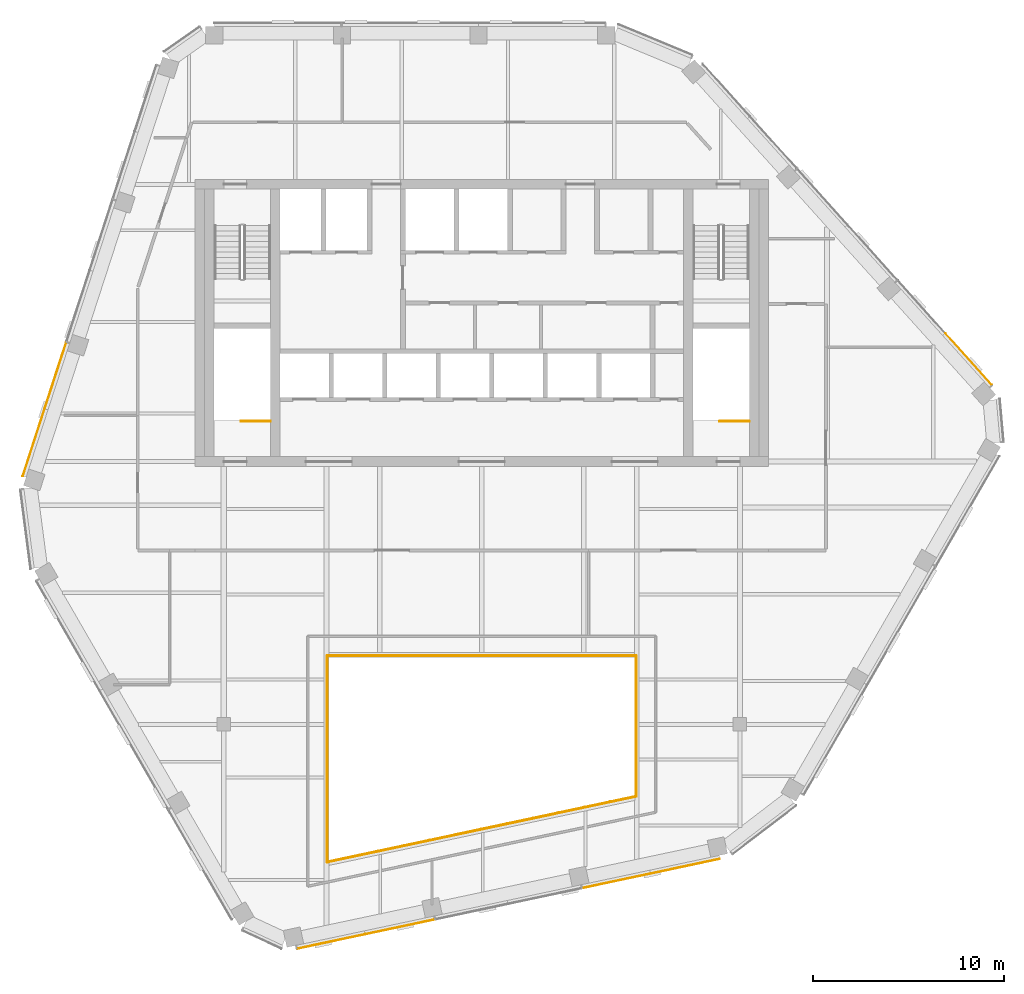
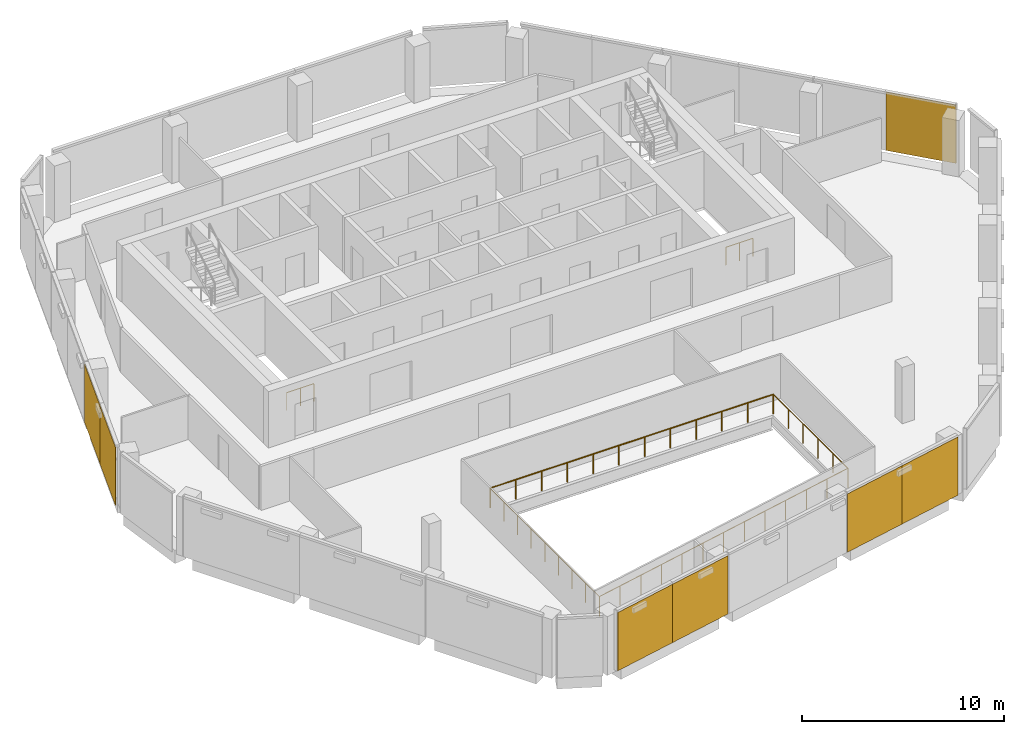
# One storey, part 11 of 13: 7 coverings, 6 railings, 3 elements without a shape of their own.
"""IFC4 building model written with IfcOpenShell, lengths in metres."""

import ifcopenshell
import ifcopenshell.guid

model = None  # the IFC model being written
_history = None  # IfcOwnerHistory: only IFC2X3 demands one
_inside = {}  # id of a spatial element -> (the spatial element, [elements in it])
_under = {}  # id of a project, library or spatial element -> (it, [spatial elements below it])
_declared = {}  # id of a project -> (the project, [libraries it declares])
_typed = {}  # id of a type object -> (the type object, [elements of that type])
_made_of = {}  # id of a material, layer set ... -> (it, [elements and type objects made of it])


def new_model(schema):
    """Start an empty IFC model of exactly this schema.

    Asked for "IFC4X3", IfcOpenShell would pick the latest addendum, in which some entities
    have other attributes; the version numbers below select the first issue.
    IFC2X3 requires an IfcOwnerHistory on every rooted entity: one is made here for all.
    """
    global model, _history
    if schema == "IFC4X3":
        model = ifcopenshell.file(schema_version=(4, 3, 0, 0))
    else:
        model = ifcopenshell.file(schema=schema)
    _inside.clear()
    _under.clear()
    _declared.clear()
    _typed.clear()
    _made_of.clear()
    _history = None
    if model.schema == "IFC2X3":
        org = make("IfcOrganization", Name="unknown")
        user = make(
            "IfcPersonAndOrganization",
            ThePerson=make("IfcPerson", FamilyName="unknown"),
            TheOrganization=org,
        )
        app = make(
            "IfcApplication",
            ApplicationDeveloper=org,
            Version="unknown",
            ApplicationFullName="unknown",
            ApplicationIdentifier="unknown",
        )
        _history = make(
            "IfcOwnerHistory",
            OwningUser=user,
            OwningApplication=app,
            ChangeAction="ADDED",
            CreationDate=0,
        )
    return model


def make(cls, **values):
    """One entity of the class cls with the attributes given. An attribute that is None is left unset."""
    return model.create_entity(
        cls, **{name: value for name, value in values.items() if value is not None}
    )


def rooted(cls, **values):
    """An entity with a GlobalId (a new one), such as an element, a storey or a relation."""
    return make(cls, GlobalId=ifcopenshell.guid.new(), OwnerHistory=_history, **values)


def si_unit(unit_type, name, prefix=None):
    """IfcSIUnit, for example si_unit("LENGTHUNIT", "METRE", prefix="MILLI")."""
    return make("IfcSIUnit", UnitType=unit_type, Prefix=prefix, Name=name)


def assignment(units):
    """IfcUnitAssignment: the units of a project."""
    return None if units is None else make("IfcUnitAssignment", Units=units)


def point(xyz):
    """IfcCartesianPoint."""
    return None if xyz is None else make("IfcCartesianPoint", Coordinates=xyz)


def direction(xyz):
    """IfcDirection."""
    return None if xyz is None else make("IfcDirection", DirectionRatios=xyz)


def frame(location, z_axis=None, x_axis=None):
    """IfcAxis2Placement3D, a coordinate frame: its origin and axes. An axis left out is left unset."""
    return make(
        "IfcAxis2Placement3D",
        Location=point(location),
        Axis=direction(z_axis),
        RefDirection=direction(x_axis),
    )


def frame_2d(location, x_axis=None):
    """IfcAxis2Placement2D, a coordinate frame in the plane: its origin and x axis."""
    return make(
        "IfcAxis2Placement2D", Location=point(location), RefDirection=direction(x_axis)
    )


def origin():
    """The frame at (0, 0, 0) with its axes left unset."""
    return frame((0.0, 0.0, 0.0))


def origin_2d():
    """The frame at (0, 0) in the plane with its x axis left unset."""
    return frame_2d((0.0, 0.0))


def place(relative_to, where):
    """IfcLocalPlacement: puts the frame where relative to a parent placement (None: the world)."""
    return make(
        "IfcLocalPlacement", PlacementRelTo=relative_to, RelativePlacement=where
    )


def context(
    kind, dimensions, precision=None, world=None, true_north=None, identifier=None
):
    """IfcGeometricRepresentationContext, for example the 3D "Model" context."""
    return make(
        "IfcGeometricRepresentationContext",
        ContextIdentifier=identifier,
        ContextType=kind,
        CoordinateSpaceDimension=dimensions,
        Precision=precision,
        WorldCoordinateSystem=world,
        TrueNorth=true_north,
    )


def subcontext(parent, identifier, kind, view, scale=None):
    """IfcGeometricRepresentationSubContext, for example "Body" below "Model"."""
    return make(
        "IfcGeometricRepresentationSubContext",
        ContextIdentifier=identifier,
        ContextType=kind,
        ParentContext=parent,
        TargetScale=scale,
        TargetView=view,
    )


def project(units=None, contexts=None):
    """IfcProject with its units and contexts."""
    return rooted(
        "IfcProject",
        Name="project",
        RepresentationContexts=contexts,
        UnitsInContext=assignment(units),
    )


def spatial(cls, under=None, at=None, **own):
    """A site, building, storey or space (cls), placed at a placement, below another one or the project."""
    s = rooted(cls, ObjectPlacement=at, **own)
    if under is not None:
        _under.setdefault(under.id(), (under, []))[1].append(s)
    return s


def profile(cls, at=None, kind="AREA", **sizes):
    """A parametric profile (cls). Its sizes go by their IFC names, for example OverallWidth=200.0."""
    return make(cls, ProfileType=kind, Position=at, **sizes)


def rectangle(**sizes):
    """IfcRectangleProfileDef."""
    return profile("IfcRectangleProfileDef", **sizes)


def circle(**sizes):
    """IfcCircleProfileDef."""
    return profile("IfcCircleProfileDef", **sizes)


def extrude(swept, where, along, depth):
    """IfcExtrudedAreaSolid: the profile swept, set in the frame where, extruded along a direction by depth."""
    return make(
        "IfcExtrudedAreaSolid",
        SweptArea=swept,
        Position=where,
        ExtrudedDirection=direction(along),
        Depth=depth,
    )


def shape(context_of_items, identifier, shape_type, items):
    """IfcShapeRepresentation: the items that make up one representation, for example the "Body"."""
    return make(
        "IfcShapeRepresentation",
        ContextOfItems=context_of_items,
        RepresentationIdentifier=identifier,
        RepresentationType=shape_type,
        Items=items,
    )


def material(Name=None, Category=None):
    """IfcMaterial."""
    return make("IfcMaterial", Name=Name, Category=Category)


def layer(
    of_material, thickness, ventilated=None, Name=None, Category=None, Priority=None
):
    """IfcMaterialLayer: one layer of a wall or slab, of a material (None: an air gap)."""
    return make(
        "IfcMaterialLayer",
        Material=of_material,
        LayerThickness=thickness,
        IsVentilated=ventilated,
        Name=Name,
        Category=Category,
        Priority=Priority,
    )


def layer_set(layers, Name=None):
    """IfcMaterialLayerSet."""
    return make("IfcMaterialLayerSet", MaterialLayers=layers, LayerSetName=Name)


def made_of(thing, what):
    """Note that an element or type object is made of a material, layer set ...; save() writes the relation."""
    if what is not None:
        _made_of.setdefault(what.id(), (what, []))[1].append(thing)
    return thing


def type_object(cls, material=None, **own):
    """A type object (cls), such as IfcWallType, which elements share."""
    return made_of(rooted(cls, **own), material)


def element(
    cls,
    number,
    at=None,
    inside=None,
    cuts=None,
    type_object=None,
    material=None,
    context=None,
    identifier="Body",
    shape_type=None,
    held_by="IfcProductDefinitionShape",
    body=None,
    shapes=None,
    **own,
):
    """One element of the class cls, such as IfcWall. Its Tag is "e" and its number.

    at: its placement. inside: the storey or other place that contains it. cuts: it is an
    opening in that element (IfcRelVoidsElement). A single representation is given by context,
    identifier, shape_type and body (its items); several are given by shapes. held_by: the class
    of the entity that holds the representations. save() writes the other relations.
    """
    e = rooted(cls, Tag="e%d" % number, ObjectPlacement=at, **own)
    if body is not None:
        shapes = [shape(context, identifier, shape_type, body)]
    if shapes is not None:
        e.Representation = make(held_by, Representations=shapes)
    if inside is not None:
        _inside.setdefault(inside.id(), (inside, []))[1].append(e)
    if cuts is not None:
        rooted(
            "IfcRelVoidsElement", RelatingBuildingElement=cuts, RelatedOpeningElement=e
        )
    if type_object is not None:
        _typed.setdefault(type_object.id(), (type_object, []))[1].append(e)
    return made_of(e, material)


def aggregate(whole, parts):
    """IfcRelAggregates: a whole, such as a stair, and the parts it consists of."""
    return rooted("IfcRelAggregates", RelatingObject=whole, RelatedObjects=parts)


def save(model, path):
    """Write the relations noted so far, then the file.

    IfcRelAggregates (storeys below a building ...), IfcRelContainedInSpatialStructure (elements
    in a storey), IfcRelDefinesByType, IfcRelAssociatesMaterial and IfcRelDeclares: one each for
    every whole, place, type object, material and project.
    """
    for whole, parts in _under.values():
        aggregate(whole, parts)
    for where, things in _inside.values():
        rooted(
            "IfcRelContainedInSpatialStructure",
            RelatedElements=things,
            RelatingStructure=where,
        )
    for kind, things in _typed.values():
        rooted("IfcRelDefinesByType", RelatedObjects=things, RelatingType=kind)
    for what, things in _made_of.values():
        rooted("IfcRelAssociatesMaterial", RelatedObjects=things, RelatingMaterial=what)
    for by, libraries in _declared.values():
        rooted("IfcRelDeclares", RelatingContext=by, RelatedDefinitions=libraries)
    model.write(path)


model = new_model("IFC4")

# Units and contexts
model_context = context("Model", 3, precision=1e-05, world=origin(), true_north=direction((0.0, 1.0)))
body_context = subcontext(model_context, "Body", "Model", "MODEL_VIEW")
ifc_project = project(units=[si_unit("LENGTHUNIT", "METRE"), si_unit("AREAUNIT", "SQUARE_METRE"), si_unit("VOLUMEUNIT", "CUBIC_METRE"), si_unit("PLANEANGLEUNIT", "RADIAN"), si_unit("MASSUNIT", "GRAM", prefix="KILO")], contexts=[model_context])

# Site, building, storey
site_placement = place(None, origin())
site = spatial("IfcSite", under=ifc_project, at=site_placement, CompositionType="ELEMENT")
building_placement = place(site_placement, origin())
building = spatial("IfcBuilding", under=site, at=building_placement, Name="Isthmus Gate Tower", CompositionType="ELEMENT")
storey_placement = place(building_placement, frame((0.0, 0.0, 297.449951171875)))
storey = spatial("IfcBuildingStorey", under=building, at=storey_placement, Name="L76", CompositionType="ELEMENT", Elevation=297.449951171875)

# Railings
ifc_material_1 = material(Name="Laminated toughened glass balustrade with steel rail", Category="steel")
railing_type_1 = type_object("IfcRailingType", Name="ATRIUM GUARD GLASS BALUSTRADE 1200", PredefinedType="GUARDRAIL", material=ifc_material_1)
railing_1_placement = place(storey_placement, frame((-8.080078125, -20.7099609375, 0.0)))
element("IfcRailing", 1, at=railing_1_placement, inside=storey, type_object=railing_type_1, Name="L76 atrium guard", PredefinedType="GUARDRAIL", context=body_context, shape_type="SweptSolid", body=[
    extrude(circle(Radius=0.02490234375, at=origin_2d()), frame((0.0, 0.0, 1.1748046875), z_axis=(0.0, 1.0, 0.0), x_axis=(-1.0, 0.0, 0.0)), (0.0, 0.0, 1.0), 10.7900390625),
    extrude(circle(Radius=0.02490234375, at=origin_2d()), origin(), (0.0, 0.0, 1.0), 1.14990234375),
    extrude(circle(Radius=0.02490234375, at=origin_2d()), frame((0.0, 1.3486328125, 0.0)), (0.0, 0.0, 1.0), 1.14990234375),
    extrude(circle(Radius=0.02490234375, at=origin_2d()), frame((0.0, 2.697509765625, 0.0)), (0.0, 0.0, 1.0), 1.14990234375),
    extrude(circle(Radius=0.02490234375, at=origin_2d()), frame((0.0, 4.04638671875, 0.0)), (0.0, 0.0, 1.0), 1.14990234375),
    extrude(circle(Radius=0.02490234375, at=origin_2d()), frame((0.0, 5.39501953125, 0.0)), (0.0, 0.0, 1.0), 1.14990234375),
    extrude(circle(Radius=0.02490234375, at=origin_2d()), frame((0.0, 6.74365234375, 0.0)), (0.0, 0.0, 1.0), 1.14990234375),
    extrude(circle(Radius=0.02490234375, at=origin_2d()), frame((0.0, 8.092529296875, 0.0)), (0.0, 0.0, 1.0), 1.14990234375),
    extrude(circle(Radius=0.02490234375, at=origin_2d()), frame((0.0, 9.44140625, 0.0)), (0.0, 0.0, 1.0), 1.14990234375),
    extrude(circle(Radius=0.02490234375, at=origin_2d()), frame((0.0, 10.7900390625, 0.0)), (0.0, 0.0, 1.0), 1.14990234375),
])
railing_2_placement = place(storey_placement, frame((-8.080078125, -9.919921875, 0.0)))
element("IfcRailing", 2, at=railing_2_placement, inside=storey, type_object=railing_type_1, Name="L76 atrium guard", PredefinedType="GUARDRAIL", context=body_context, shape_type="SweptSolid", body=[
    extrude(circle(Radius=0.02490234375, at=origin_2d()), frame((0.0, 0.0, 1.1748046875), z_axis=(1.0, 0.0, 0.0), x_axis=(0.0, 1.0, 0.0)), (0.0, 0.0, 1.0), 16.16015625),
    extrude(circle(Radius=0.02490234375, at=origin_2d()), origin(), (0.0, 0.0, 1.0), 1.14990234375),
    extrude(circle(Radius=0.02490234375, at=origin_2d()), frame((1.468994140625, 0.0, 0.0)), (0.0, 0.0, 1.0), 1.14990234375),
    extrude(circle(Radius=0.02490234375, at=origin_2d()), frame((2.938232421875, 0.0, 0.0)), (0.0, 0.0, 1.0), 1.14990234375),
    extrude(circle(Radius=0.02490234375, at=origin_2d()), frame((4.4072265625, 0.0, 0.0)), (0.0, 0.0, 1.0), 1.14990234375),
    extrude(circle(Radius=0.02490234375, at=origin_2d()), frame((5.87646484375, 0.0, 0.0)), (0.0, 0.0, 1.0), 1.14990234375),
    extrude(circle(Radius=0.02490234375, at=origin_2d()), frame((7.345458984375, 0.0, 0.0)), (0.0, 0.0, 1.0), 1.14990234375),
    extrude(circle(Radius=0.02490234375, at=origin_2d()), frame((8.814697265625, 0.0, 0.0)), (0.0, 0.0, 1.0), 1.14990234375),
    extrude(circle(Radius=0.02490234375, at=origin_2d()), frame((10.28369140625, 0.0, 0.0)), (0.0, 0.0, 1.0), 1.14990234375),
    extrude(circle(Radius=0.02490234375, at=origin_2d()), frame((11.7529296875, 0.0, 0.0)), (0.0, 0.0, 1.0), 1.14990234375),
    extrude(circle(Radius=0.02490234375, at=origin_2d()), frame((13.221923828125, 0.0, 0.0)), (0.0, 0.0, 1.0), 1.14990234375),
    extrude(circle(Radius=0.02490234375, at=origin_2d()), frame((14.691162109375, 0.0, 0.0)), (0.0, 0.0, 1.0), 1.14990234375),
    extrude(circle(Radius=0.02490234375, at=origin_2d()), frame((16.16015625, 0.0, 0.0)), (0.0, 0.0, 1.0), 1.14990234375),
])
railing_3_placement = place(storey_placement, frame((8.080078125, -9.919921875, 0.0)))
element("IfcRailing", 3, at=railing_3_placement, inside=storey, type_object=railing_type_1, Name="L76 atrium guard", PredefinedType="GUARDRAIL", context=body_context, shape_type="SweptSolid", body=[
    extrude(circle(Radius=0.02490234375, at=origin_2d()), frame((0.0, 0.0, 1.1748046875), z_axis=(0.0, -1.0, 0.0), x_axis=(1.0, 0.0, 0.0)), (0.0, 0.0, 1.0), 7.35498046875),
    extrude(circle(Radius=0.02490234375, at=origin_2d()), origin(), (0.0, 0.0, 1.0), 1.14990234375),
    extrude(circle(Radius=0.02490234375, at=origin_2d()), frame((0.0, -1.470947265625, 0.0)), (0.0, 0.0, 1.0), 1.14990234375),
    extrude(circle(Radius=0.02490234375, at=origin_2d()), frame((0.0, -2.94189453125, 0.0)), (0.0, 0.0, 1.0), 1.14990234375),
    extrude(circle(Radius=0.02490234375, at=origin_2d()), frame((0.0, -4.4130859375, 0.0)), (0.0, 0.0, 1.0), 1.14990234375),
    extrude(circle(Radius=0.02490234375, at=origin_2d()), frame((0.0, -5.884033203125, 0.0)), (0.0, 0.0, 1.0), 1.14990234375),
    extrude(circle(Radius=0.02490234375, at=origin_2d()), frame((0.0, -7.35498046875, 0.0)), (0.0, 0.0, 1.0), 1.14990234375),
])
railing_4_placement = place(storey_placement, frame((8.080078125, -17.27490234375, 0.0)))
element("IfcRailing", 4, at=railing_4_placement, inside=storey, type_object=railing_type_1, Name="L76 atrium guard", PredefinedType="GUARDRAIL", context=body_context, shape_type="SweptSolid", body=[
    extrude(circle(Radius=0.02490234375, at=origin_2d()), frame((0.0, 0.0, 1.1748046875), z_axis=(-0.978146230105, -0.207918139013, 0.0), x_axis=(0.207918139013, -0.978146230105, 0.0)), (0.0, 0.0, 1.0), 16.521240234375),
    extrude(circle(Radius=0.02490234375, at=origin_2d()), origin(), (0.0, 0.0, 1.0), 1.14990234375),
    extrude(circle(Radius=0.02490234375, at=origin_2d()), frame((-1.3466796875, -0.2861328125, 0.0)), (0.0, 0.0, 1.0), 1.14990234375),
    extrude(circle(Radius=0.02490234375, at=origin_2d()), frame((-2.693359375, -0.572509765625, 0.0)), (0.0, 0.0, 1.0), 1.14990234375),
    extrude(circle(Radius=0.02490234375, at=origin_2d()), frame((-4.0400390625, -0.85888671875, 0.0)), (0.0, 0.0, 1.0), 1.14990234375),
    extrude(circle(Radius=0.02490234375, at=origin_2d()), frame((-5.38671875, -1.14501953125, 0.0)), (0.0, 0.0, 1.0), 1.14990234375),
    extrude(circle(Radius=0.02490234375, at=origin_2d()), frame((-6.7333984375, -1.43115234375, 0.0)), (0.0, 0.0, 1.0), 1.14990234375),
    extrude(circle(Radius=0.02490234375, at=origin_2d()), frame((-8.080078125, -1.717529296875, 0.0)), (0.0, 0.0, 1.0), 1.14990234375),
    extrude(circle(Radius=0.02490234375, at=origin_2d()), frame((-9.4267578125, -2.00390625, 0.0)), (0.0, 0.0, 1.0), 1.14990234375),
    extrude(circle(Radius=0.02490234375, at=origin_2d()), frame((-10.7734375, -2.2900390625, 0.0)), (0.0, 0.0, 1.0), 1.14990234375),
    extrude(circle(Radius=0.02490234375, at=origin_2d()), frame((-12.1201171875, -2.576171875, 0.0)), (0.0, 0.0, 1.0), 1.14990234375),
    extrude(circle(Radius=0.02490234375, at=origin_2d()), frame((-13.466796875, -2.862548828125, 0.0)), (0.0, 0.0, 1.0), 1.14990234375),
    extrude(circle(Radius=0.02490234375, at=origin_2d()), frame((-14.8134765625, -3.14892578125, 0.0)), (0.0, 0.0, 1.0), 1.14990234375),
    extrude(circle(Radius=0.02490234375, at=origin_2d()), frame((-16.16015625, -3.43505859375, 0.0)), (0.0, 0.0, 1.0), 1.14990234375),
])

# Curtain wall, coverings
ifc_material_2 = material(Name="Aluminium, pale champagne anodised", Category="aluminium")
ifc_layer_1 = layer(ifc_material_2, 0.199951171875)
ifc_layer_set_1 = layer_set([ifc_layer_1], Name="CW-1 UNITISED CURTAIN WALL 200 DEEP")
curtain_wall_type = type_object("IfcCurtainWallType", Name="CW-1 UNITISED CURTAIN WALL 200 DEEP", PredefinedType="NOTDEFINED", material=ifc_layer_set_1)
curtain_wall_1_placement = place(storey_placement, origin())
curtain_wall_1 = element("IfcCurtainWall", 5, at=curtain_wall_1_placement, inside=storey, type_object=curtain_wall_type, Name="CW-1 NW L76", PredefinedType="NOTDEFINED")
ifc_material_3 = material(Name="Aluminium composite panel, pale champagne anodised", Category="aluminium")
ifc_layer_2 = layer(ifc_material_3, 0.031982421875)
ifc_layer_set_2 = layer_set([ifc_layer_2], Name="CW-1 PALE METAL PANEL 32")
covering_type = type_object("IfcCoveringType", Name="CW-1 PALE METAL PANEL 32", PredefinedType="CLADDING", material=ifc_layer_set_2)
covering_1_placement = place(storey_placement, frame((-22.309326171875, 4.737548828125, 0.0), z_axis=(0.0, 0.0, 1.0), x_axis=(-0.309016994375, -0.951056516295, 0.0)))
covering_1 = element("IfcCovering", 6, at=covering_1_placement, type_object=covering_type, Name="CW-1 pale metal panel", PredefinedType="CLADDING", context=body_context, shape_type="SweptSolid", body=[
    extrude(rectangle(XDim=3.643310546875, YDim=0.031982421875, at=origin_2d()), origin(), (0.0, 0.0, 1.0), 3.52001953125),
])
covering_2_placement = place(storey_placement, frame((-23.4443359375, 1.244140625, 0.0), z_axis=(0.0, 0.0, 1.0), x_axis=(-0.309016994375, -0.951056516295, 0.0)))
covering_2 = element("IfcCovering", 7, at=covering_2_placement, type_object=covering_type, Name="CW-1 pale metal panel", PredefinedType="CLADDING", context=body_context, shape_type="SweptSolid", body=[
    extrude(rectangle(XDim=3.703369140625, YDim=0.031982421875, at=origin_2d()), origin(), (0.0, 0.0, 1.0), 3.52001953125),
])
aggregate(curtain_wall_1, [covering_1, covering_2])

curtain_wall_2_placement = place(storey_placement, origin())
curtain_wall_2 = element("IfcCurtainWall", 8, at=curtain_wall_2_placement, inside=storey, type_object=curtain_wall_type, Name="CW-1 S L76", PredefinedType="NOTDEFINED")
covering_3_placement = place(storey_placement, frame((-7.87841796875, -24.86279296875, 0.0), z_axis=(0.0, 0.0, 1.0), x_axis=(0.978147600734, 0.207911690818, 0.0)))
covering_3 = element("IfcCovering", 9, at=covering_3_placement, type_object=covering_type, Name="CW-1 pale metal panel", PredefinedType="CLADDING", context=body_context, shape_type="SweptSolid", body=[
    extrude(rectangle(XDim=3.643310546875, YDim=0.031982421875, at=origin_2d()), origin(), (0.0, 0.0, 1.0), 3.52001953125),
])
covering_4_placement = place(storey_placement, frame((-4.28515625, -24.098876953125, 0.0), z_axis=(0.0, 0.0, 1.0), x_axis=(0.978147600734, 0.207911690818, 0.0)))
covering_4 = element("IfcCovering", 10, at=covering_4_placement, type_object=covering_type, Name="CW-1 pale metal panel", PredefinedType="CLADDING", context=body_context, shape_type="SweptSolid", body=[
    extrude(rectangle(XDim=3.703369140625, YDim=0.031982421875, at=origin_2d()), origin(), (0.0, 0.0, 1.0), 3.52001953125),
])
covering_5_placement = place(storey_placement, frame((7.0517578125, -21.689208984375, 0.0), z_axis=(0.0, 0.0, 1.0), x_axis=(0.978147600734, 0.207911690818, 0.0)))
covering_5 = element("IfcCovering", 11, at=covering_5_placement, type_object=covering_type, Name="CW-1 pale metal panel", PredefinedType="CLADDING", context=body_context, shape_type="SweptSolid", body=[
    extrude(rectangle(XDim=3.643310546875, YDim=0.031982421875, at=origin_2d()), origin(), (0.0, 0.0, 1.0), 3.52001953125),
])
covering_6_placement = place(storey_placement, frame((10.644775390625, -20.925537109375, 0.0), z_axis=(0.0, 0.0, 1.0), x_axis=(0.978147600734, 0.207911690818, 0.0)))
covering_6 = element("IfcCovering", 12, at=covering_6_placement, type_object=covering_type, Name="CW-1 pale metal panel", PredefinedType="CLADDING", context=body_context, shape_type="SweptSolid", body=[
    extrude(rectangle(XDim=3.703369140625, YDim=0.031982421875, at=origin_2d()), origin(), (0.0, 0.0, 1.0), 3.52001953125),
])
aggregate(curtain_wall_2, [covering_3, covering_4, covering_5, covering_6])

# Curtain wall, covering
curtain_wall_3_placement = place(storey_placement, origin())
curtain_wall_3 = element("IfcCurtainWall", 13, at=curtain_wall_3_placement, inside=storey, type_object=curtain_wall_type, Name="CW-1 NE L76", PredefinedType="NOTDEFINED")
covering_7_placement = place(storey_placement, frame((25.470947265625, 5.6083984375, 0.0), z_axis=(0.0, 0.0, 1.0), x_axis=(-0.669130606359, 0.743144825477, 0.0)))
covering_7 = element("IfcCovering", 14, at=covering_7_placement, type_object=covering_type, Name="CW-1 pale metal panel", PredefinedType="CLADDING", context=body_context, shape_type="SweptSolid", body=[
    extrude(rectangle(XDim=3.643310546875, YDim=0.031982421875, at=origin_2d()), origin(), (0.0, 0.0, 1.0), 3.52001953125),
])
aggregate(curtain_wall_3, [covering_7])

# Railings
ifc_material_4 = material(Name="Stainless steel balustrade", Category="steel")
railing_type_2 = type_object("IfcRailingType", Name="STAIR GUARD 1100", PredefinedType="GUARDRAIL", material=ifc_material_4)
for number, where, name in (
    (15, (-11.050048828125, 2.35009765625, 0.0), "L76 ST7 top well guard 1"),
    (16, (14.0, 2.35009765625, 0.0), "L76 ST8 top well guard 1"),
):
    element("IfcRailing", number, at=place(storey_placement, frame(where)), inside=storey, type_object=railing_type_2, Name=name, PredefinedType="GUARDRAIL", context=body_context, shape_type="SweptSolid", body=[
        extrude(circle(Radius=0.02392578125, at=origin_2d()), frame((0.0, 0.0, 1.076171875), z_axis=(-1.0, 0.0, 0.0), x_axis=(0.0, -1.0, 0.0)), (0.0, 0.0, 1.0), 1.550048828125),
        extrude(circle(Radius=0.02099609375, at=origin_2d()), origin(), (0.0, 0.0, 1.0), 1.052001953125),
        extrude(circle(Radius=0.02099609375, at=origin_2d()), frame((-0.77490234375, 0.0, 0.0)), (0.0, 0.0, 1.0), 1.052001953125),
        extrude(circle(Radius=0.02099609375, at=origin_2d()), frame((-1.550048828125, 0.0, 0.0)), (0.0, 0.0, 1.0), 1.052001953125),
    ])

save(model, "model.ifc")
